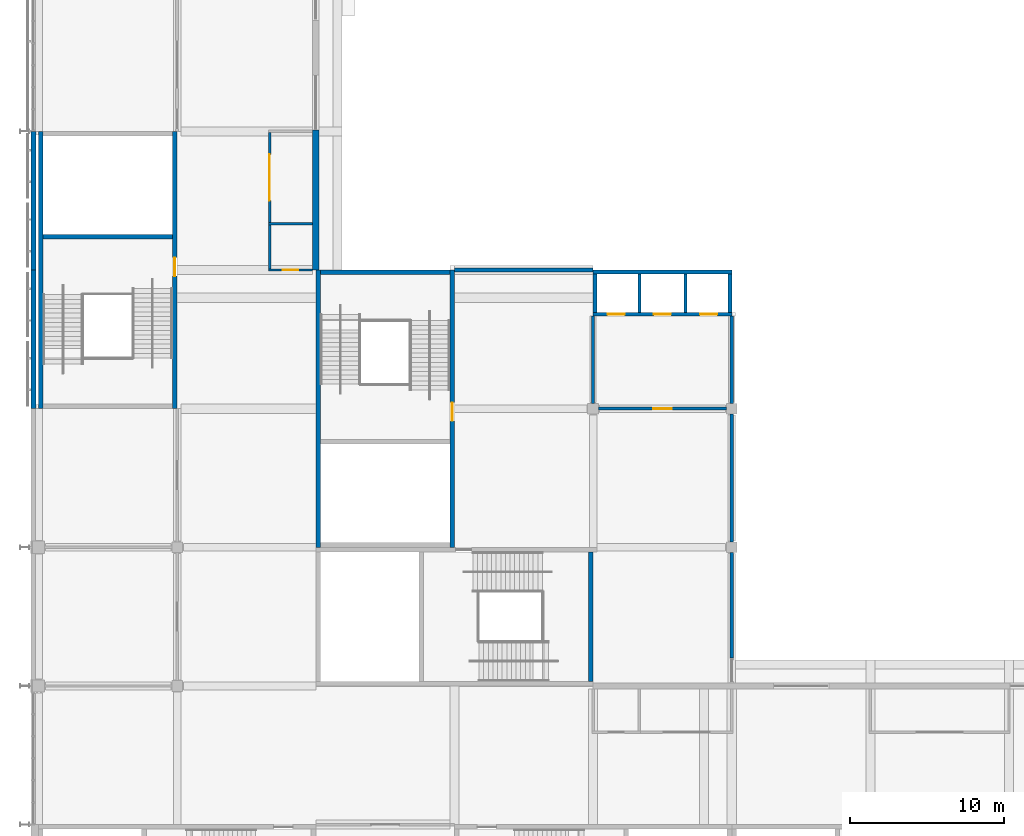
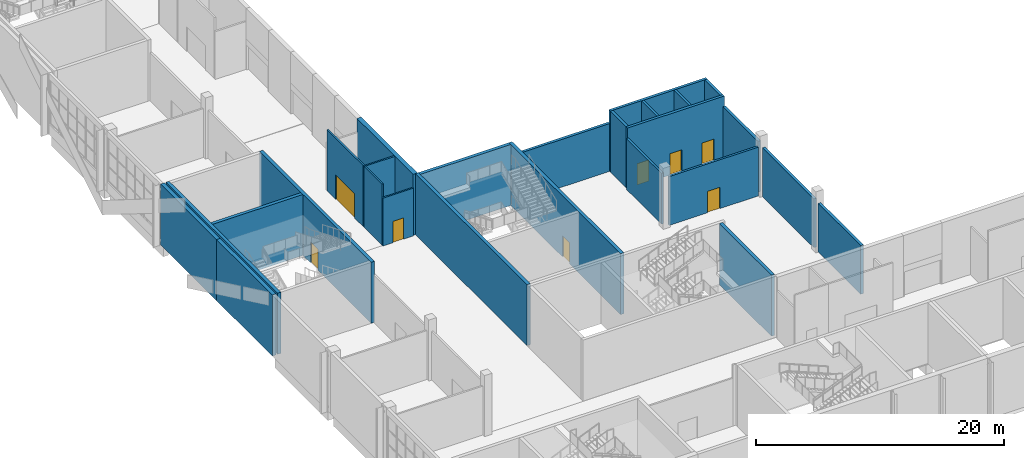
# One storey, part 39 of 89: 26 walls, 8 doors, 8 openings.
"""IFC4 building model written with IfcOpenShell, lengths in metres."""

from ifc_helpers import new_model, si_unit, direction, frame, frame_2d, origin, place, context, subcontext, project, spatial, rectangle, extrude, material, layer, layer_set, type_object, element, fill, save


model = new_model("IFC4")

# Units and contexts
model_context = context("Model", 3, precision=1e-05, world=origin(), true_north=direction((0.0, 1.0)))
body_context = subcontext(model_context, "Body", "Model", "MODEL_VIEW")
ifc_project = project(units=[si_unit("LENGTHUNIT", "METRE"), si_unit("AREAUNIT", "SQUARE_METRE"), si_unit("VOLUMEUNIT", "CUBIC_METRE"), si_unit("PLANEANGLEUNIT", "RADIAN"), si_unit("MASSUNIT", "GRAM", prefix="KILO")], contexts=[model_context])

# Site, building, storey
site_placement = place(None, origin())
site = spatial("IfcSite", under=ifc_project, at=site_placement, CompositionType="ELEMENT")
building_placement = place(site_placement, origin())
building = spatial("IfcBuilding", under=site, at=building_placement, Name="Silverbay Arena", CompositionType="ELEMENT")
storey_placement = place(building_placement, frame((0.0, 0.0, 22.0)))
storey = spatial("IfcBuildingStorey", under=building, at=storey_placement, Name="L03", CompositionType="ELEMENT", Elevation=22.0)

# Walls
ifc_material_1 = material(Name="Concrete Grade C45", Category="concrete")
ifc_layer_1 = layer(ifc_material_1, 0.25)
ifc_layer_set_1 = layer_set([ifc_layer_1], Name="Concrete Grade C45")
wall_type_1 = type_object("IfcWallType", Name="Bowl enclosure wall RC 250 EI 120", PredefinedType="SOLIDWALL", material=ifc_layer_set_1)
wall_1_placement = place(storey_placement, frame((99.0, 37.800048828125, 0.0), z_axis=(0.0, 0.0, 1.0), x_axis=(0.0, 1.0, 0.0)))
element("IfcWall", 1, at=wall_1_placement, inside=storey, type_object=wall_type_1, Name="Bowl enclosure wall, corner block SW-x", PredefinedType="SOLIDWALL", context=body_context, shape_type="SweptSolid", body=[
    extrude(rectangle(XDim=6.849853515625, YDim=0.25, at=frame_2d((3.4248046875, 0.0))), origin(), (0.0, 0.0, 1.0), 4.800048828125),
])
wall_2_placement = place(storey_placement, frame((99.0, 45.35009765625, 0.0), z_axis=(0.0, 0.0, 1.0), x_axis=(0.0, 1.0, 0.0)))
element("IfcWall", 2, at=wall_2_placement, inside=storey, type_object=wall_type_1, Name="Bowl enclosure wall, corner block SW-x", PredefinedType="SOLIDWALL", context=body_context, shape_type="SweptSolid", body=[
    extrude(rectangle(XDim=8.2998046875, YDim=0.25, at=frame_2d((4.14990234375, 0.0))), origin(), (0.0, 0.0, 1.0), 4.800048828125),
])
wall_3_placement = place(storey_placement, frame((99.0, 54.35009765625, 0.0), z_axis=(0.0, 0.0, 1.0), x_axis=(0.0, 1.0, 0.0)))
element("IfcWall", 3, at=wall_3_placement, inside=storey, type_object=wall_type_1, Name="Bowl enclosure wall, corner block SW-x", PredefinedType="SOLIDWALL", context=body_context, shape_type="SweptSolid", body=[
    extrude(rectangle(XDim=5.64990234375, YDim=0.25, at=frame_2d((2.824951171875, 0.0))), origin(), (0.0, 0.0, 1.0), 5.0),
])
wall_4_placement = place(storey_placement, frame((81.0, 63.0, 0.0), z_axis=(0.0, 0.0, 1.0), x_axis=(1.0, 0.0, 0.0)))
element("IfcWall", 4, at=wall_4_placement, inside=storey, type_object=wall_type_1, Name="Bowl enclosure wall, corner block SW-y", PredefinedType="SOLIDWALL", context=body_context, shape_type="SweptSolid", body=[
    extrude(rectangle(XDim=9.0, YDim=0.25, at=frame_2d((4.5, 0.0))), origin(), (0.0, 0.0, 1.0), 4.699951171875),
])

# Wall, opening, door
ifc_material_2 = material(Name="Concrete Grade C45", Category="concrete")
ifc_layer_2 = layer(ifc_material_2, 0.300048828125)
ifc_layer_set_2 = layer_set([ifc_layer_2], Name="Concrete Grade C45")
wall_type_2 = type_object("IfcWallType", Name="Core wall RC 300 EI 120", PredefinedType="SHEAR", material=ifc_layer_set_2)
wall_5_placement = place(storey_placement, frame((62.85009765625, 54.0, 0.0), z_axis=(0.0, 0.0, 1.0), x_axis=(0.0, 1.0, 0.0)))
wall_5 = element("IfcWall", 5, at=wall_5_placement, inside=storey, type_object=wall_type_2, Name="Core wall ST-W1 L03 door side", PredefinedType="SHEAR", context=body_context, shape_type="SweptSolid", body=[
    extrude(rectangle(XDim=18.0, YDim=0.300048828125, at=frame_2d((9.0, 0.0))), origin(), (0.0, 0.0, 1.0), 6.0),
])
opening_1_placement = place(wall_5_placement, frame((8.60009765625, 0.0, 0.0)))
opening_1 = element("IfcOpeningElement", 6, at=opening_1_placement, cuts=wall_5, Name="Opening L03-065", PredefinedType="OPENING", context=body_context, shape_type="SweptSolid", body=[
    extrude(rectangle(XDim=1.199951171875, YDim=2.10009765625, at=frame_2d((0.60009765625, 1.050048828125))), frame((0.0, 0.16015625, 0.0), z_axis=(0.0, -1.0, 0.0), x_axis=(1.0, 0.0, 0.0)), (0.0, 0.0, 1.0), 0.320068359375),
])
ifc_material_3 = material(Name="Steel fire door", Category="steel")
door_type_1 = type_object("IfcDoorType", Name="Stair door 1200 x 2100 fire door", OperationType="SINGLE_SWING_LEFT", PredefinedType="DOOR", material=ifc_material_3)
door_1_placement = place(opening_1_placement, origin())
door_1 = element("IfcDoor", 7, at=door_1_placement, inside=storey, type_object=door_type_1, Name="Stair door ST-W1 L03", OperationType="SINGLE_SWING_RIGHT", OverallHeight=2.10009765625, OverallWidth=1.199951171875, PredefinedType="DOOR", context=body_context, shape_type="SweptSolid", body=[
    extrude(rectangle(XDim=1.199951171875, YDim=2.10009765625, at=frame_2d((0.60009765625, 1.050048828125))), frame((0.0, 0.02490234375, 0.0), z_axis=(0.0, -1.0, 0.0), x_axis=(1.0, 0.0, 0.0)), (0.0, 0.0, 1.0), 0.050048828125),
])
fill(opening_1, door_1)

# Walls
wall_6_placement = place(storey_placement, frame((54.14990234375, 54.0, 0.0), z_axis=(0.0, 0.0, 1.0), x_axis=(0.0, 1.0, 0.0)))
element("IfcWall", 8, at=wall_6_placement, inside=storey, type_object=wall_type_2, Name="Core wall ST-W1 L03 far side", PredefinedType="SHEAR", context=body_context, shape_type="SweptSolid", body=[
    extrude(rectangle(XDim=18.0, YDim=0.300048828125, at=frame_2d((9.0, 0.0))), origin(), (0.0, 0.0, 1.0), 6.0),
])
for number, where, z_axis, x_axis, name in (
    (9, (62.699951171875, 65.14990234375, 0.0), (0.0, 0.0, 1.0), (-1.0, 0.0, 0.0), "Core wall ST-W1 L03 stair enclosure"),
    (10, (89.85009765625, 44.699951171875, 0.0), (0.0, 0.0, 1.0), (0.0, -1.0, 0.0), "Core wall ST-SW1 L03 end 1"),
):
    element("IfcWall", number, at=place(storey_placement, frame(where, z_axis=z_axis, x_axis=x_axis)), inside=storey, type_object=wall_type_2, Name=name, PredefinedType="SHEAR", context=body_context, shape_type="SweptSolid", body=[
        extrude(rectangle(XDim=8.39990234375, YDim=0.300048828125, at=frame_2d((4.199951171875, 0.0))), origin(), (0.0, 0.0, 1.0), 6.0),
    ])

# Wall, opening, door
wall_7_placement = place(storey_placement, frame((80.85009765625, 63.0, 0.0), z_axis=(0.0, 0.0, 1.0), x_axis=(0.0, -1.0, 0.0)))
wall_7 = element("IfcWall", 11, at=wall_7_placement, inside=storey, type_object=wall_type_2, Name="Core wall ST-SW2 L03 door side", PredefinedType="SHEAR", context=body_context, shape_type="SweptSolid", body=[
    extrude(rectangle(XDim=18.0, YDim=0.300048828125, at=frame_2d((9.0, 0.0))), origin(), (0.0, 0.0, 1.0), 6.0),
])
opening_2_placement = place(wall_7_placement, frame((8.60009765625, 0.0, 0.0)))
opening_2 = element("IfcOpeningElement", 12, at=opening_2_placement, cuts=wall_7, Name="Opening L03-070", PredefinedType="OPENING", context=body_context, shape_type="SweptSolid", body=[
    extrude(rectangle(XDim=1.199951171875, YDim=2.10009765625, at=frame_2d((0.60009765625, 1.050048828125))), frame((0.0, 0.16015625, 0.0), z_axis=(0.0, -1.0, 0.0), x_axis=(1.0, 0.0, 0.0)), (0.0, 0.0, 1.0), 0.320068359375),
])
door_2_placement = place(opening_2_placement, frame((1.199951171875, 0.0, 0.0), z_axis=(0.0, 0.0, 1.0), x_axis=(-1.0, 0.0, 0.0)))
door_2 = element("IfcDoor", 13, at=door_2_placement, inside=storey, type_object=door_type_1, Name="Stair door ST-SW2 L03", OperationType="SINGLE_SWING_LEFT", OverallHeight=2.10009765625, OverallWidth=1.199951171875, PredefinedType="DOOR", context=body_context, shape_type="SweptSolid", body=[
    extrude(rectangle(XDim=1.199951171875, YDim=2.10009765625, at=frame_2d((0.60009765625, 1.050048828125))), frame((0.0, 0.02490234375, 0.0), z_axis=(0.0, -1.0, 0.0), x_axis=(1.0, 0.0, 0.0)), (0.0, 0.0, 1.0), 0.050048828125),
])
fill(opening_2, door_2)

# Walls
wall_8_placement = place(storey_placement, frame((72.14990234375, 63.0, 0.0), z_axis=(0.0, 0.0, 1.0), x_axis=(0.0, -1.0, 0.0)))
element("IfcWall", 14, at=wall_8_placement, inside=storey, type_object=wall_type_2, Name="Core wall ST-SW2 L03 far side", PredefinedType="SHEAR", context=body_context, shape_type="SweptSolid", body=[
    extrude(rectangle(XDim=18.0, YDim=0.300048828125, at=frame_2d((9.0, 0.0))), origin(), (0.0, 0.0, 1.0), 6.0),
])
wall_9_placement = place(storey_placement, frame((80.699951171875, 62.85009765625, 0.0), z_axis=(0.0, 0.0, 1.0), x_axis=(-1.0, 0.0, 0.0)))
element("IfcWall", 15, at=wall_9_placement, inside=storey, type_object=wall_type_2, Name="Core wall ST-SW2 L03 end 1", PredefinedType="SHEAR", context=body_context, shape_type="SweptSolid", body=[
    extrude(rectangle(XDim=8.39990234375, YDim=0.300048828125, at=frame_2d((4.199951171875, 0.0))), origin(), (0.0, 0.0, 1.0), 6.0),
])
ifc_material_4 = material(Name="Concrete Grade C45", Category="concrete")
ifc_layer_3 = layer(ifc_material_4, 0.199951171875)
ifc_layer_set_3 = layer_set([ifc_layer_3], Name="Concrete Grade C45")
wall_type_3 = type_object("IfcWallType", Name="Lift shaft divider RC 200 EI 120", PredefinedType="SHEAR", material=ifc_layer_set_3)
for number, where, z_axis, x_axis, name in (
    (16, (93.0, 60.25, 0.0), (0.0, 0.0, 1.0), (0.0, 1.0, 0.0), "Lift shaft divider LB-SW L03 1"),
    (17, (96.0, 60.25, 0.0), (0.0, 0.0, 1.0), (0.0, 1.0, 0.0), "Lift shaft divider LB-SW L03 2"),
):
    element("IfcWall", number, at=place(storey_placement, frame(where, z_axis=z_axis, x_axis=x_axis)), inside=storey, type_object=wall_type_3, Name=name, PredefinedType="SHEAR", context=body_context, shape_type="SweptSolid", body=[
        extrude(rectangle(XDim=2.5, YDim=0.199951171875, at=frame_2d((1.25, 0.0))), origin(), (0.0, 0.0, 1.0), 6.0),
    ])

# Wall, openings, doors
ifc_material_5 = material(Name="Concrete Grade C45", Category="concrete")
ifc_layer_4 = layer(ifc_material_5, 0.25)
ifc_layer_set_4 = layer_set([ifc_layer_4], Name="Concrete Grade C45")
wall_type_4 = type_object("IfcWallType", Name="Lift shaft wall RC 250 EI 120", PredefinedType="SHEAR", material=ifc_layer_set_4)
wall_10_placement = place(storey_placement, frame((90.0, 60.125, 0.0), z_axis=(0.0, 0.0, 1.0), x_axis=(1.0, 0.0, 0.0)))
wall_10 = element("IfcWall", 18, at=wall_10_placement, inside=storey, type_object=wall_type_4, Name="Lift shaft wall LB-SW L03 landing side", PredefinedType="SHEAR", context=body_context, shape_type="SweptSolid", body=[
    extrude(rectangle(XDim=9.0, YDim=0.25, at=frame_2d((4.5, 0.0))), origin(), (0.0, 0.0, 1.0), 6.0),
])
opening_3_placement = place(wall_10_placement, frame((0.949951171875, 0.0, 0.0)))
opening_3 = element("IfcOpeningElement", 19, at=opening_3_placement, cuts=wall_10, Name="Opening L03-077", PredefinedType="OPENING", context=body_context, shape_type="SweptSolid", body=[
    extrude(rectangle(XDim=1.10009765625, YDim=2.10009765625, at=frame_2d((0.550048828125, 1.050048828125))), frame((0.0, 0.135009765625, 0.0), z_axis=(0.0, -1.0, 0.0), x_axis=(1.0, 0.0, 0.0)), (0.0, 0.0, 1.0), 0.27001953125),
])
opening_4_placement = place(wall_10_placement, frame((3.949951171875, 0.0, 0.0)))
opening_4 = element("IfcOpeningElement", 20, at=opening_4_placement, cuts=wall_10, Name="Opening L03-078", PredefinedType="OPENING", context=body_context, shape_type="SweptSolid", body=[
    extrude(rectangle(XDim=1.10009765625, YDim=2.10009765625, at=frame_2d((0.550048828125, 1.050048828125))), frame((0.0, 0.135009765625, 0.0), z_axis=(0.0, -1.0, 0.0), x_axis=(1.0, 0.0, 0.0)), (0.0, 0.0, 1.0), 0.27001953125),
])
opening_5_placement = place(wall_10_placement, frame((6.949951171875, 0.0, 0.0)))
opening_5 = element("IfcOpeningElement", 21, at=opening_5_placement, cuts=wall_10, Name="Opening L03-079", PredefinedType="OPENING", context=body_context, shape_type="SweptSolid", body=[
    extrude(rectangle(XDim=1.10009765625, YDim=2.10009765625, at=frame_2d((0.550048828125, 1.050048828125))), frame((0.0, 0.135009765625, 0.0), z_axis=(0.0, -1.0, 0.0), x_axis=(1.0, 0.0, 0.0)), (0.0, 0.0, 1.0), 0.27001953125),
])
ifc_material_6 = material(Name="Stainless steel", Category="steel")
door_type_2 = type_object("IfcDoorType", Name="LD1 lift landing door 1100 x 2100", OperationType="DOUBLE_DOOR_SLIDING", PredefinedType="DOOR", material=ifc_material_6)
door_3_placement = place(opening_3_placement, origin())
door_3 = element("IfcDoor", 22, at=door_3_placement, inside=storey, type_object=door_type_2, Name="Lift landing door LF2 L03", OperationType="DOUBLE_DOOR_SLIDING", OverallHeight=2.10009765625, OverallWidth=1.10009765625, PredefinedType="DOOR", context=body_context, shape_type="SweptSolid", body=[
    extrude(rectangle(XDim=1.10009765625, YDim=2.10009765625, at=frame_2d((0.550048828125, 1.050048828125))), frame((0.0, 0.02490234375, 0.0), z_axis=(0.0, -1.0, 0.0), x_axis=(1.0, 0.0, 0.0)), (0.0, 0.0, 1.0), 0.050048828125),
])
fill(opening_3, door_3)
door_4_placement = place(opening_4_placement, origin())
door_4 = element("IfcDoor", 23, at=door_4_placement, inside=storey, type_object=door_type_2, Name="Lift landing door LF4 L03", OperationType="DOUBLE_DOOR_SLIDING", OverallHeight=2.10009765625, OverallWidth=1.10009765625, PredefinedType="DOOR", context=body_context, shape_type="SweptSolid", body=[
    extrude(rectangle(XDim=1.10009765625, YDim=2.10009765625, at=frame_2d((0.550048828125, 1.050048828125))), frame((0.0, 0.02490234375, 0.0), z_axis=(0.0, -1.0, 0.0), x_axis=(1.0, 0.0, 0.0)), (0.0, 0.0, 1.0), 0.050048828125),
])
fill(opening_4, door_4)
door_5_placement = place(opening_5_placement, origin())
door_5 = element("IfcDoor", 24, at=door_5_placement, inside=storey, type_object=door_type_2, Name="Lift landing door LF5 L03", OperationType="DOUBLE_DOOR_SLIDING", OverallHeight=2.10009765625, OverallWidth=1.10009765625, PredefinedType="DOOR", context=body_context, shape_type="SweptSolid", body=[
    extrude(rectangle(XDim=1.10009765625, YDim=2.10009765625, at=frame_2d((0.550048828125, 1.050048828125))), frame((0.0, 0.02490234375, 0.0), z_axis=(0.0, -1.0, 0.0), x_axis=(1.0, 0.0, 0.0)), (0.0, 0.0, 1.0), 0.050048828125),
])
fill(opening_5, door_5)

# Walls
wall_11_placement = place(storey_placement, frame((90.0, 62.875, 0.0), z_axis=(0.0, 0.0, 1.0), x_axis=(1.0, 0.0, 0.0)))
element("IfcWall", 25, at=wall_11_placement, inside=storey, type_object=wall_type_4, Name="Lift shaft wall LB-SW L03 back", PredefinedType="SHEAR", context=body_context, shape_type="SweptSolid", body=[
    extrude(rectangle(XDim=9.0, YDim=0.25, at=frame_2d((4.5, 0.0))), origin(), (0.0, 0.0, 1.0), 6.0),
])
for number, where, z_axis, x_axis, name in (
    (26, (90.125, 60.25, 0.0), (0.0, 0.0, 1.0), (0.0, 1.0, 0.0), "Lift shaft wall LB-SW L03 end"),
    (27, (98.875, 60.25, 0.0), (0.0, 0.0, 1.0), (0.0, 1.0, 0.0), "Lift shaft wall LB-SW L03 end"),
):
    element("IfcWall", number, at=place(storey_placement, frame(where, z_axis=z_axis, x_axis=x_axis)), inside=storey, type_object=wall_type_4, Name=name, PredefinedType="SHEAR", context=body_context, shape_type="SweptSolid", body=[
        extrude(rectangle(XDim=2.5, YDim=0.25, at=frame_2d((1.25, 0.0))), origin(), (0.0, 0.0, 1.0), 6.0),
    ])

# Wall, opening, door
ifc_material_7 = material(Name="Gypsum board partition on steel studs", Category="steel")
ifc_layer_5 = layer(ifc_material_7, 0.14990234375)
ifc_layer_set_5 = layer_set([ifc_layer_5], Name="Gypsum board partition on steel studs")
wall_type_5 = type_object("IfcWallType", Name="Partition 150 EI 60", PredefinedType="PARTITIONING", material=ifc_layer_set_5)
wall_12_placement = place(storey_placement, frame((68.925048828125, 63.0, 0.0), z_axis=(0.0, 0.0, 1.0), x_axis=(1.0, 0.0, 0.0)))
wall_12 = element("IfcWall", 28, at=wall_12_placement, inside=storey, type_object=wall_type_5, Name="Partition wall", PredefinedType="PARTITIONING", context=body_context, shape_type="SweptSolid", body=[
    extrude(rectangle(XDim=2.875, YDim=0.14990234375, at=frame_2d((1.4375, 0.0))), origin(), (0.0, 0.0, 1.0), 4.699951171875),
])
opening_6_placement = place(wall_12_placement, frame((0.93798828125, 0.0, 0.0)))
opening_6 = element("IfcOpeningElement", 29, at=opening_6_placement, cuts=wall_12, Name="Opening L03-039", PredefinedType="OPENING", context=body_context, shape_type="SweptSolid", body=[
    extrude(rectangle(XDim=1.0, YDim=2.10009765625, at=frame_2d((0.5, 1.050048828125))), frame((0.0, 0.0849609375, 0.0), z_axis=(0.0, -1.0, 0.0), x_axis=(1.0, 0.0, 0.0)), (0.0, 0.0, 1.0), 0.169921875),
])
ifc_material_8 = material(Name="Steel faced timber", Category="steel")
door_type_3 = type_object("IfcDoorType", Name="Single leaf door 1000 x 2100 FD30S", OperationType="SINGLE_SWING_LEFT", PredefinedType="DOOR", material=ifc_material_8)
door_6_placement = place(opening_6_placement, origin())
door_6 = element("IfcDoor", 30, at=door_6_placement, inside=storey, type_object=door_type_3, Name="Door L03-039", OperationType="SINGLE_SWING_LEFT", OverallHeight=2.10009765625, OverallWidth=1.0, PredefinedType="DOOR", context=body_context, shape_type="SweptSolid", body=[
    extrude(rectangle(XDim=1.0, YDim=2.10009765625, at=frame_2d((0.5, 1.050048828125))), frame((0.0, 0.02490234375, 0.0), z_axis=(0.0, -1.0, 0.0), x_axis=(1.0, 0.0, 0.0)), (0.0, 0.0, 1.0), 0.050048828125),
])
fill(opening_6, door_6)

# Walls
wall_13_placement = place(storey_placement, frame((68.925048828125, 66.0, 0.0), z_axis=(0.0, 0.0, 1.0), x_axis=(1.0, 0.0, 0.0)))
element("IfcWall", 31, at=wall_13_placement, inside=storey, type_object=wall_type_5, Name="Partition wall", PredefinedType="PARTITIONING", context=body_context, shape_type="SweptSolid", body=[
    extrude(rectangle(XDim=2.875, YDim=0.14990234375, at=frame_2d((1.4375, 0.0))), origin(), (0.0, 0.0, 1.0), 6.0),
])
wall_14_placement = place(storey_placement, frame((69.0, 63.074951171875, 0.0), z_axis=(0.0, 0.0, 1.0), x_axis=(0.0, 1.0, 0.0)))
element("IfcWall", 32, at=wall_14_placement, inside=storey, type_object=wall_type_5, Name="Partition wall", PredefinedType="PARTITIONING", context=body_context, shape_type="SweptSolid", body=[
    extrude(rectangle(XDim=2.85009765625, YDim=0.14990234375, at=frame_2d((1.425048828125, 0.0))), origin(), (0.0, 0.0, 1.0), 6.0),
])

# Wall, opening, door
wall_15_placement = place(storey_placement, frame((69.0, 66.074951171875, 0.0), z_axis=(0.0, 0.0, 1.0), x_axis=(0.0, 1.0, 0.0)))
wall_15 = element("IfcWall", 33, at=wall_15_placement, inside=storey, type_object=wall_type_5, Name="Partition wall", PredefinedType="PARTITIONING", context=body_context, shape_type="SweptSolid", body=[
    extrude(rectangle(XDim=5.85009765625, YDim=0.14990234375, at=frame_2d((2.925048828125, 0.0))), origin(), (0.0, 0.0, 1.0), 6.0),
])
opening_7_placement = place(wall_15_placement, frame((1.425048828125, 0.0, 0.0)))
opening_7 = element("IfcOpeningElement", 34, at=opening_7_placement, cuts=wall_15, Name="Opening L03-040", PredefinedType="OPENING", context=body_context, shape_type="SweptSolid", body=[
    extrude(rectangle(XDim=3.0, YDim=2.39990234375, at=frame_2d((1.5, 1.199951171875))), frame((0.0, 0.0849609375, 0.0), z_axis=(0.0, -1.0, 0.0), x_axis=(1.0, 0.0, 0.0)), (0.0, 0.0, 1.0), 0.169921875),
])
ifc_material_9 = material(Name="Steel", Category="steel")
door_type_4 = type_object("IfcDoorType", Name="Roller shutter 3000 x 2400 FD30S", OperationType="ROLLINGUP", PredefinedType="DOOR", material=ifc_material_9)
door_7_placement = place(opening_7_placement, origin())
door_7 = element("IfcDoor", 35, at=door_7_placement, inside=storey, type_object=door_type_4, Name="Door L03-040", OperationType="ROLLINGUP", OverallHeight=2.39990234375, OverallWidth=3.0, PredefinedType="DOOR", context=body_context, shape_type="SweptSolid", body=[
    extrude(rectangle(XDim=3.0, YDim=2.39990234375, at=frame_2d((1.5, 1.199951171875))), frame((0.0, 0.02490234375, 0.0), z_axis=(0.0, -1.0, 0.0), x_axis=(1.0, 0.0, 0.0)), (0.0, 0.0, 1.0), 0.050048828125),
])
fill(opening_7, door_7)

ifc_material_10 = material(Name="Masonry blockwork partition", Category="masonry")
ifc_layer_6 = layer(ifc_material_10, 0.199951171875)
ifc_layer_set_6 = layer_set([ifc_layer_6], Name="Masonry blockwork partition")
wall_type_6 = type_object("IfcWallType", Name="Partition 200 EI 120", PredefinedType="PARTITIONING", material=ifc_layer_set_6)
wall_16_placement = place(storey_placement, frame((90.35009765625, 54.0, 0.0), z_axis=(0.0, 0.0, 1.0), x_axis=(1.0, 0.0, 0.0)))
wall_16 = element("IfcWall", 36, at=wall_16_placement, inside=storey, type_object=wall_type_6, Name="Partition wall", PredefinedType="PARTITIONING", context=body_context, shape_type="SweptSolid", body=[
    extrude(rectangle(XDim=8.2998046875, YDim=0.199951171875, at=frame_2d((4.14990234375, 0.0))), origin(), (0.0, 0.0, 1.0), 4.800048828125),
])
opening_8_placement = place(wall_16_placement, frame((3.550048828125, 0.0, 0.0)))
opening_8 = element("IfcOpeningElement", 37, at=opening_8_placement, cuts=wall_16, Name="Opening L03-021", PredefinedType="OPENING", context=body_context, shape_type="SweptSolid", body=[
    extrude(rectangle(XDim=1.199951171875, YDim=2.10009765625, at=frame_2d((0.60009765625, 1.050048828125))), frame((0.0, 0.10986328125, 0.0), z_axis=(0.0, -1.0, 0.0), x_axis=(1.0, 0.0, 0.0)), (0.0, 0.0, 1.0), 0.219970703125),
])
ifc_material_11 = material(Name="Steel faced timber", Category="steel")
door_type_5 = type_object("IfcDoorType", Name="Single leaf door 1200 x 2100 FD60", OperationType="SINGLE_SWING_LEFT", PredefinedType="DOOR", material=ifc_material_11)
door_8_placement = place(opening_8_placement, frame((1.199951171875, 0.0, 0.0), z_axis=(0.0, 0.0, 1.0), x_axis=(-1.0, 0.0, 0.0)))
door_8 = element("IfcDoor", 38, at=door_8_placement, inside=storey, type_object=door_type_5, Name="Door L03-021", OperationType="SINGLE_SWING_RIGHT", OverallHeight=2.10009765625, OverallWidth=1.199951171875, PredefinedType="DOOR", context=body_context, shape_type="SweptSolid", body=[
    extrude(rectangle(XDim=1.199951171875, YDim=2.10009765625, at=frame_2d((0.60009765625, 1.050048828125))), frame((0.0, 0.02490234375, 0.0), z_axis=(0.0, -1.0, 0.0), x_axis=(1.0, 0.0, 0.0)), (0.0, 0.0, 1.0), 0.050048828125),
])
fill(opening_8, door_8)

# Walls
wall_17_placement = place(storey_placement, frame((90.0, 54.35009765625, 0.0), z_axis=(0.0, 0.0, 1.0), x_axis=(0.0, 1.0, 0.0)))
element("IfcWall", 39, at=wall_17_placement, inside=storey, type_object=wall_type_6, Name="Partition wall", PredefinedType="PARTITIONING", context=body_context, shape_type="SweptSolid", body=[
    extrude(rectangle(XDim=5.64990234375, YDim=0.199951171875, at=frame_2d((2.824951171875, 0.0))), origin(), (0.0, 0.0, 1.0), 5.0),
])
ifc_material_12 = material(Name="Concrete Grade C45", Category="concrete")
ifc_layer_7 = layer(ifc_material_12, 0.39990234375)
ifc_layer_set_7 = layer_set([ifc_layer_7], Name="Concrete Grade C45")
wall_type_7 = type_object("IfcWallType", Name="RC back wall 400 EI 120", PredefinedType="SOLIDWALL", material=ifc_layer_set_7)
wall_18_placement = place(storey_placement, frame((72.0, 72.074951171875, 0.0), z_axis=(0.0, 0.0, 1.0), x_axis=(0.0, -1.0, 0.0)))
element("IfcWall", 40, at=wall_18_placement, inside=storey, type_object=wall_type_7, Name="Bowl back wall L03 18", PredefinedType="SOLIDWALL", context=body_context, shape_type="SweptSolid", body=[
    extrude(rectangle(XDim=9.074951171875, YDim=0.39990234375, at=frame_2d((4.53759765625, 0.0))), origin(), (0.0, 0.0, 1.0), 6.0),
])
ifc_material_13 = material(Name="Concrete Grade C45", Category="concrete")
ifc_layer_8 = layer(ifc_material_13, 0.35009765625)
ifc_layer_set_8 = layer_set([ifc_layer_8], Name="Concrete Grade C45")
wall_type_8 = type_object("IfcWallType", Name="Stair core facade wall 350", PredefinedType="SOLIDWALL", material=ifc_layer_set_8)
for number, where, z_axis, x_axis, name in (
    (41, (53.675048828125, 63.0, 0.0), (0.0, 0.0, 1.0), (0.0, -1.0, 0.0), "West external wall L03 bay 5"),
    (42, (53.675048828125, 72.0, 0.0), (0.0, 0.0, 1.0), (0.0, -1.0, 0.0), "West external wall L03 bay 6"),
):
    element("IfcWall", number, at=place(storey_placement, frame(where, z_axis=z_axis, x_axis=x_axis)), inside=storey, type_object=wall_type_8, Name=name, PredefinedType="SOLIDWALL", context=body_context, shape_type="SweptSolid", body=[
        extrude(rectangle(XDim=9.0, YDim=0.35009765625, at=frame_2d((4.5, 0.0))), origin(), (0.0, 0.0, 1.0), 6.0),
    ])

save(model, "model.ifc")
